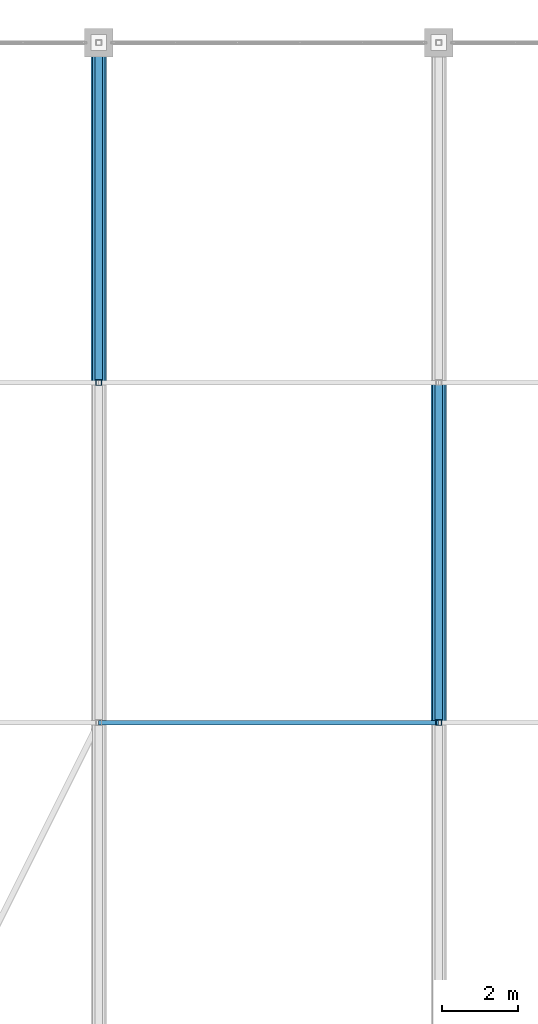
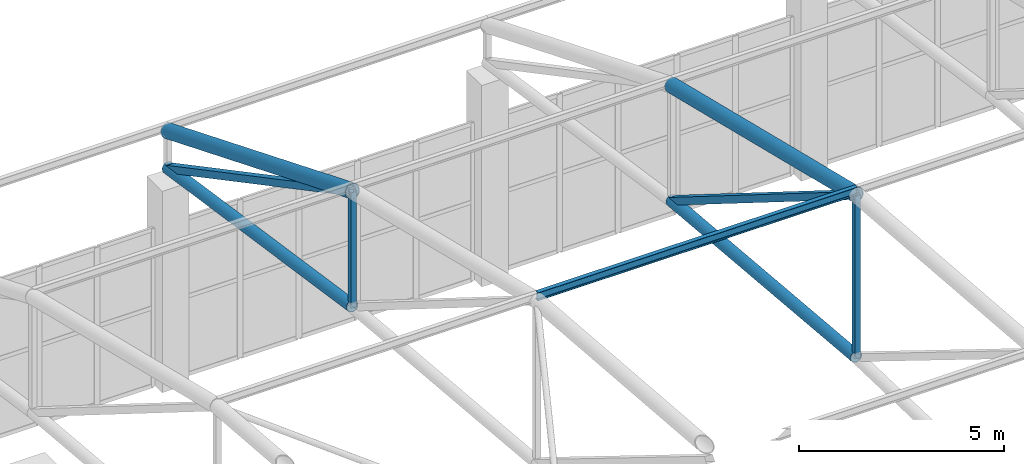
# One storey, part 126 of 223: 9 members.
"""IFC4 building model written with IfcOpenShell, lengths in metres."""

from ifc_helpers import new_model, si_unit, direction, frame, origin, origin_2d, place, context, subcontext, project, spatial, hollow_rectangle, hollow_circle, i_section, extrude, material, material_profile, profile_set, type_object, element, save


model = new_model("IFC4")

# Units and contexts
model_context = context("Model", 3, precision=1e-05, world=origin(), true_north=direction((0.0, 1.0)))
body_context = subcontext(model_context, "Body", "Model", "MODEL_VIEW")
ifc_project = project(units=[si_unit("LENGTHUNIT", "METRE"), si_unit("AREAUNIT", "SQUARE_METRE"), si_unit("VOLUMEUNIT", "CUBIC_METRE"), si_unit("PLANEANGLEUNIT", "RADIAN"), si_unit("MASSUNIT", "GRAM", prefix="KILO")], contexts=[model_context])

# Site, building, storey
site_placement = place(None, origin())
site = spatial("IfcSite", under=ifc_project, at=site_placement, CompositionType="ELEMENT")
building_placement = place(site_placement, origin())
building = spatial("IfcBuilding", under=site, at=building_placement, Name="Dornveld Trade and Exhibition Forum", CompositionType="ELEMENT")
storey_placement = place(building_placement, frame((0.0, 0.0, 6.0)))
storey = spatial("IfcBuildingStorey", under=building, at=storey_placement, Name="L01", CompositionType="ELEMENT", Elevation=6.0)

# Members
ifc_material_1 = material(Name="Steel S355J2", Category="steel")
ifc_material_profile_1 = material_profile(ifc_material_1, hollow_circle(Radius=0.161865234375, WallThickness=0.01611328125, at=origin_2d()), Name="CHS 323.9x16")
ifc_profile_set_1 = profile_set([ifc_material_profile_1], Name="Steel S355J2")
member_type_1 = type_object("IfcMemberType", Name="MEM-ARCH-BC", PredefinedType="CHORD", material=ifc_profile_set_1)
member_1_placement = place(storey_placement, frame((108.0, 153.0, 7.683349609375), z_axis=(0.0, 0.989204758987, -0.146539908551), x_axis=(-1.0, 0.0, 0.0)))
element("IfcMember", 1, at=member_1_placement, inside=storey, type_object=member_type_1, Name="H1 truss 2 tie chord 6", PredefinedType="CHORD", context=body_context, shape_type="SweptSolid", body=[
    extrude(hollow_circle(Radius=0.161865234375, WallThickness=0.01611328125, at=origin_2d()), origin(), (0.0, 0.0, 1.0), 9.09814453125),
])
member_2_placement = place(storey_placement, frame((117.0, 144.0, 8.4833984375), z_axis=(0.0, 0.996072164085, -0.088545151956), x_axis=(-1.0, 0.0, 0.0)))
element("IfcMember", 2, at=member_2_placement, inside=storey, type_object=member_type_1, Name="H1 truss 3 tie chord 5", PredefinedType="CHORD", context=body_context, shape_type="SweptSolid", body=[
    extrude(hollow_circle(Radius=0.161865234375, WallThickness=0.01611328125, at=origin_2d()), origin(), (0.0, 0.0, 1.0), 9.035400390625),
])
ifc_material_2 = material(Name="Steel S355J2", Category="steel")
ifc_material_profile_2 = material_profile(ifc_material_2, hollow_rectangle(XDim=0.14990234375, YDim=0.14990234375, WallThickness=0.008056640625, at=origin_2d()), Name="SHS 150x150x8")
ifc_profile_set_2 = profile_set([ifc_material_profile_2], Name="Steel S355J2")
member_type_2 = type_object("IfcMemberType", Name="MEM-ARCH-STR", PredefinedType="STRUT", material=ifc_profile_set_2)
member_3_placement = place(storey_placement, frame((108.0, 153.0, 7.683349609375), z_axis=(0.0, 0.0, 1.0), x_axis=(1.0, 0.0, 0.0)))
element("IfcMember", 3, at=member_3_placement, inside=storey, type_object=member_type_2, Name="H1 truss 2 strut 6", PredefinedType="STRUT", context=body_context, shape_type="SweptSolid", body=[
    extrude(hollow_rectangle(XDim=0.14990234375, YDim=0.14990234375, WallThickness=0.008056640625, at=origin_2d()), origin(), (0.0, 0.0, 1.0), 3.433349609375),
])
member_4_placement = place(storey_placement, frame((117.0, 144.0, 8.4833984375), z_axis=(0.0, 0.0, 1.0), x_axis=(1.0, 0.0, 0.0)))
element("IfcMember", 4, at=member_4_placement, inside=storey, type_object=member_type_2, Name="H1 truss 3 strut 5", PredefinedType="STRUT", context=body_context, shape_type="SweptSolid", body=[
    extrude(hollow_rectangle(XDim=0.14990234375, YDim=0.14990234375, WallThickness=0.008056640625, at=origin_2d()), origin(), (0.0, 0.0, 1.0), 4.833251953125),
])
ifc_material_3 = material(Name="Steel S355J2", Category="steel")
ifc_material_profile_3 = material_profile(ifc_material_3, hollow_circle(Radius=0.203125, WallThickness=0.02001953125, at=origin_2d()), Name="CHS 406.4x20")
ifc_profile_set_3 = profile_set([ifc_material_profile_3], Name="Steel S355J2")
member_type_3 = type_object("IfcMemberType", Name="MEM-ARCH-TC", PredefinedType="CHORD", material=ifc_profile_set_3)
member_5_placement = place(storey_placement, frame((108.0, 153.0, 11.11669921875), z_axis=(0.0, 0.926089433793, -0.377304069177), x_axis=(-1.0, 0.0, 0.0)))
element("IfcMember", 5, at=member_5_placement, inside=storey, type_object=member_type_3, Name="H1 truss 2 top chord 6", PredefinedType="CHORD", context=body_context, shape_type="SweptSolid", body=[
    extrude(hollow_circle(Radius=0.203125, WallThickness=0.02001953125, at=origin_2d()), origin(), (0.0, 0.0, 1.0), 9.71826171875),
])
member_6_placement = place(storey_placement, frame((117.0, 144.0, 13.316650390625), z_axis=(0.0, 0.971400222114, -0.237448117444), x_axis=(-1.0, 0.0, 0.0)))
element("IfcMember", 6, at=member_6_placement, inside=storey, type_object=member_type_3, Name="H1 truss 3 top chord 5", PredefinedType="CHORD", context=body_context, shape_type="SweptSolid", body=[
    extrude(hollow_circle(Radius=0.203125, WallThickness=0.02001953125, at=origin_2d()), origin(), (0.0, 0.0, 1.0), 9.264892578125),
])
ifc_material_4 = material(Name="Steel S355J2", Category="steel")
ifc_material_profile_4 = material_profile(ifc_material_4, hollow_rectangle(XDim=0.199951171875, YDim=0.199951171875, WallThickness=0.010009765625, at=origin_2d()), Name="SHS 200x200x10")
ifc_profile_set_4 = profile_set([ifc_material_profile_4], Name="Steel S355J2")
member_type_4 = type_object("IfcMemberType", Name="MEM-ARCH-WEB", PredefinedType="BRACE", material=ifc_profile_set_4)
member_7_placement = place(storey_placement, frame((108.0, 162.0, 6.35009765625), z_axis=(0.0, -0.883710934211, 0.468033102201), x_axis=(1.0, 0.0, 0.0)))
element("IfcMember", 7, at=member_7_placement, inside=storey, type_object=member_type_4, Name="H1 truss 2 web 6", PredefinedType="BRACE", context=body_context, shape_type="SweptSolid", body=[
    extrude(hollow_rectangle(XDim=0.199951171875, YDim=0.199951171875, WallThickness=0.010009765625, at=origin_2d()), origin(), (0.0, 0.0, 1.0), 10.184326171875),
])
member_8_placement = place(storey_placement, frame((117.0, 153.0, 7.683349609375), z_axis=(0.0, -0.847646750348, 0.530561011218), x_axis=(1.0, 0.0, 0.0)))
element("IfcMember", 8, at=member_8_placement, inside=storey, type_object=member_type_4, Name="H1 truss 3 web 5", PredefinedType="BRACE", context=body_context, shape_type="SweptSolid", body=[
    extrude(hollow_rectangle(XDim=0.199951171875, YDim=0.199951171875, WallThickness=0.010009765625, at=origin_2d()), origin(), (0.0, 0.0, 1.0), 10.61767578125),
])
ifc_material_5 = material(Name="Steel S355J2", Category="steel")
ifc_material_profile_5 = material_profile(ifc_material_5, i_section(OverallWidth=0.1201171875, OverallDepth=0.239990234375, WebThickness=0.006103515625, FlangeThickness=0.009765625, FilletRadius=0.014892578125, at=origin_2d()), Name="IPE 240")
ifc_profile_set_5 = profile_set([ifc_material_profile_5], Name="Steel S355J2")
member_type_5 = type_object("IfcMemberType", Name="MEM-PURLIN-240", PredefinedType="PURLIN", material=ifc_profile_set_5)
member_9_placement = place(storey_placement, frame((108.0, 144.0, 13.44873046875), z_axis=(1.0, 0.0, 0.0), x_axis=(0.0, 1.0, 0.0)))
element("IfcMember", 9, at=member_9_placement, inside=storey, type_object=member_type_5, Name="H1 bay 2 roof purlin 5", PredefinedType="PURLIN", context=body_context, shape_type="SweptSolid", body=[
    extrude(i_section(OverallWidth=0.1201171875, OverallDepth=0.239990234375, WebThickness=0.006103515625, FlangeThickness=0.009765625, FilletRadius=0.014892578125, at=origin_2d()), origin(), (0.0, 0.0, 1.0), 9.0),
])

save(model, "model.ifc")
